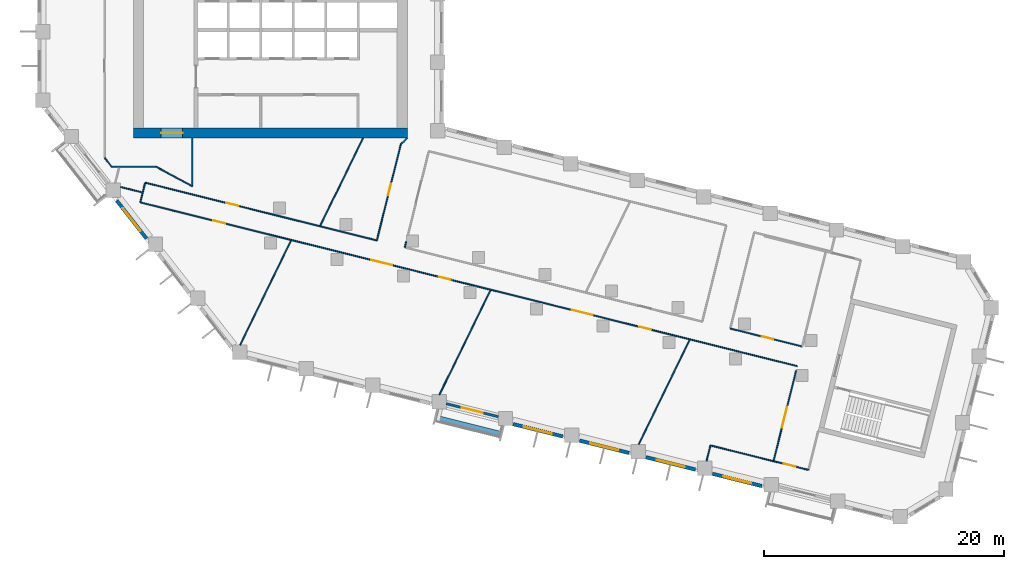
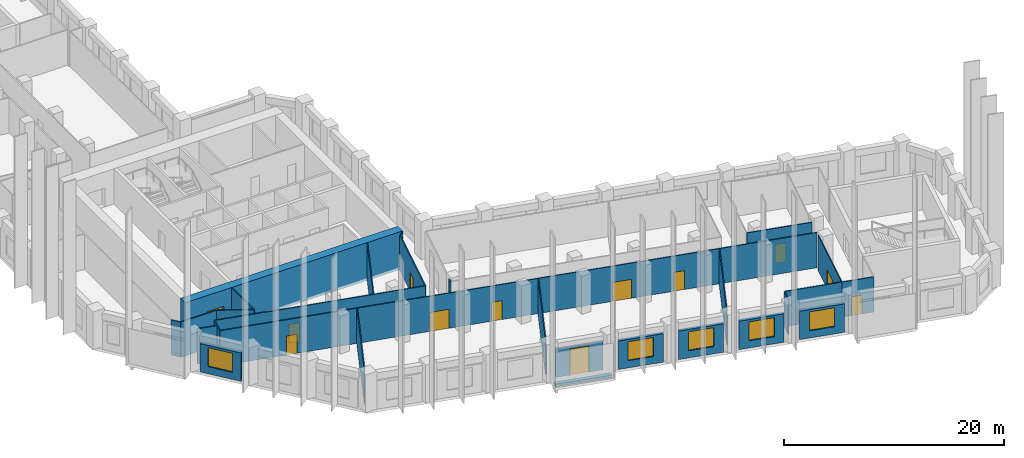
# One storey, part 3 of 10: 28 walls, 12 doors, 5 windows, 17 openings.
"""IFC4 building model written with IfcOpenShell, lengths in metres."""

from ifc_helpers import new_model, si_unit, direction, frame, frame_2d, origin, place, context, subcontext, project, spatial, rectangle, extrude, material, layer, layer_set, type_object, element, fill, save


model = new_model("IFC4")

# Units and contexts
model_context = context("Model", 3, precision=1e-05, world=origin(), true_north=direction((0.0, 1.0)))
body_context = subcontext(model_context, "Body", "Model", "MODEL_VIEW")
ifc_project = project(units=[si_unit("LENGTHUNIT", "METRE"), si_unit("AREAUNIT", "SQUARE_METRE"), si_unit("VOLUMEUNIT", "CUBIC_METRE"), si_unit("PLANEANGLEUNIT", "RADIAN"), si_unit("MASSUNIT", "GRAM", prefix="KILO")], contexts=[model_context])

# Site, building, storey
site_placement = place(None, origin())
site = spatial("IfcSite", under=ifc_project, at=site_placement, CompositionType="ELEMENT")
building_placement = place(site_placement, origin())
building = spatial("IfcBuilding", under=site, at=building_placement, Name="Meshkara Civic Tower", CompositionType="ELEMENT")
storey_placement = place(building_placement, frame((0.0, 0.0, 195.0)))
storey = spatial("IfcBuildingStorey", under=building, at=storey_placement, Name="L44", CompositionType="ELEMENT", Elevation=195.0)

# Wall, opening, door
ifc_material_1 = material(Name="Concrete C70", Category="concrete")
ifc_layer_1 = layer(ifc_material_1, 0.85009765625)
ifc_layer_set_1 = layer_set([ifc_layer_1], Name="Core ring wall 850 C70")
wall_type_1 = type_object("IfcWallType", Name="Core ring wall 850 C70", PredefinedType="SHEAR", material=ifc_layer_set_1)
wall_1_placement = place(storey_placement, frame((8.0, 14.52490234375, -0.300048828125), z_axis=(0.0, 0.0, 1.0), x_axis=(1.0, 0.0, 0.0)))
wall_1 = element("IfcWall", 1, at=wall_1_placement, inside=storey, type_object=wall_type_1, Name="L44-C001", PredefinedType="SHEAR", context=body_context, shape_type="SweptSolid", body=[
    extrude(rectangle(XDim=22.800048828125, YDim=0.85009765625, at=frame_2d((11.39990234375, 0.0))), origin(), (0.0, 0.0, 1.0), 4.199951171875),
])
opening_1_placement = place(wall_1_placement, frame((2.300048828125, 0.0, 0.300048828125)))
opening_1 = element("IfcOpeningElement", 2, at=opening_1_placement, cuts=wall_1, Name="Opening L44-K021", PredefinedType="OPENING", context=body_context, shape_type="SweptSolid", body=[
    extrude(rectangle(XDim=1.800048828125, YDim=2.10009765625, at=frame_2d((0.89990234375, 1.050048828125))), frame((0.0, 0.43505859375, 0.0), z_axis=(0.0, -1.0, 0.0), x_axis=(1.0, 0.0, 0.0)), (0.0, 0.0, 1.0), 0.8701171875),
])
ifc_material_2 = material(Name="Fire-rated door leaf in steel frame", Category="steel")
door_type_1 = type_object("IfcDoorType", Name="Core double door 1800 EI 60", OperationType="DOUBLE_DOOR_SINGLE_SWING", PredefinedType="DOOR", material=ifc_material_2)
door_1_placement = place(opening_1_placement, origin())
door_1 = element("IfcDoor", 3, at=door_1_placement, inside=storey, type_object=door_type_1, Name="L44-K021", OperationType="DOUBLE_DOOR_SINGLE_SWING", OverallHeight=2.10009765625, OverallWidth=1.800048828125, PredefinedType="DOOR", context=body_context, shape_type="SweptSolid", body=[
    extrude(rectangle(XDim=1.800048828125, YDim=2.10009765625, at=frame_2d((0.89990234375, 1.050048828125))), frame((0.0, 0.02490234375, 0.0), z_axis=(0.0, -1.0, 0.0), x_axis=(1.0, 0.0, 0.0)), (0.0, 0.0, 1.0), 0.050048828125),
])
fill(opening_1, door_1)

# Walls
ifc_material_3 = material(Name="Corridor wall 100")
ifc_layer_2 = layer(ifc_material_3, 0.10009765625)
ifc_layer_set_2 = layer_set([ifc_layer_2], Name="Corridor wall 100")
wall_type_2 = type_object("IfcWallType", Name="Corridor wall 100", PredefinedType="PARTITIONING", material=ifc_layer_set_2)
wall_2_placement = place(storey_placement, frame((5.60009765625, 12.450927734375, 0.0), z_axis=(0.0, 0.0, 1.0), x_axis=(0.615783213621, -0.787915626081, 0.0)))
element("IfcWall", 4, at=wall_2_placement, inside=storey, type_object=wall_type_2, Name="L44-W004", PredefinedType="PARTITIONING", context=body_context, shape_type="SweptSolid", body=[
    extrude(rectangle(XDim=0.953125, YDim=0.10009765625, at=frame_2d((0.4765625, 0.0))), origin(), (0.0, 0.0, 1.0), 3.89990234375),
])
wall_3_placement = place(storey_placement, frame((6.18701171875, 11.699951171875, 0.0), z_axis=(0.0, 0.0, 1.0), x_axis=(1.0, 0.0, 0.0)))
element("IfcWall", 5, at=wall_3_placement, inside=storey, type_object=wall_type_2, Name="L44-W006", PredefinedType="PARTITIONING", context=body_context, shape_type="SweptSolid", body=[
    extrude(rectangle(XDim=3.712890625, YDim=0.10009765625, at=frame_2d((1.8564453125, 0.0))), origin(), (0.0, 0.0, 1.0), 3.89990234375),
])

# Wall, openings, doors
wall_4_placement = place(storey_placement, frame((8.56494140625, 8.743896484375, 0.0), z_axis=(0.0, 0.0, 1.0), x_axis=(0.97029693432, -0.24191705035, 0.0)))
wall_4 = element("IfcWall", 6, at=wall_4_placement, inside=storey, type_object=wall_type_2, Name="L44-W009", PredefinedType="PARTITIONING", context=body_context, shape_type="SweptSolid", body=[
    extrude(rectangle(XDim=56.37451171875, YDim=0.10009765625, at=frame_2d((28.187255859375, 0.0))), origin(), (0.0, 0.0, 1.0), 3.89990234375),
])
opening_2_placement = place(wall_4_placement, frame((37.030029296875, 0.0, 0.0)))
opening_2 = element("IfcOpeningElement", 7, at=opening_2_placement, cuts=wall_4, Name="Opening L44-D003", PredefinedType="OPENING", context=body_context, shape_type="SweptSolid", body=[
    extrude(rectangle(XDim=1.800048828125, YDim=2.10009765625, at=frame_2d((0.89990234375, 1.050048828125))), frame((0.0, 0.06005859375, 0.0), z_axis=(0.0, -1.0, 0.0), x_axis=(1.0, 0.0, 0.0)), (0.0, 0.0, 1.0), 0.1201171875),
])
opening_3_placement = place(wall_4_placement, frame((42.830078125, 0.0, 0.0)))
opening_3 = element("IfcOpeningElement", 8, at=opening_3_placement, cuts=wall_4, Name="Opening L44-D004", PredefinedType="OPENING", context=body_context, shape_type="SweptSolid", body=[
    extrude(rectangle(XDim=1.0, YDim=2.10009765625, at=frame_2d((0.5, 1.050048828125))), frame((0.0, 0.06005859375, 0.0), z_axis=(0.0, -1.0, 0.0), x_axis=(1.0, 0.0, 0.0)), (0.0, 0.0, 1.0), 0.1201171875),
])
opening_4_placement = place(wall_4_placement, frame((19.8310546875, 0.0, 0.0)))
opening_4 = element("IfcOpeningElement", 9, at=opening_4_placement, cuts=wall_4, Name="Opening L44-D006", PredefinedType="OPENING", context=body_context, shape_type="SweptSolid", body=[
    extrude(rectangle(XDim=1.800048828125, YDim=2.10009765625, at=frame_2d((0.89990234375, 1.050048828125))), frame((0.0, 0.06005859375, 0.0), z_axis=(0.0, -1.0, 0.0), x_axis=(1.0, 0.0, 0.0)), (0.0, 0.0, 1.0), 0.1201171875),
])
opening_5_placement = place(wall_4_placement, frame((25.631103515625, 0.0, 0.0)))
opening_5 = element("IfcOpeningElement", 10, at=opening_5_placement, cuts=wall_4, Name="Opening L44-D007", PredefinedType="OPENING", context=body_context, shape_type="SweptSolid", body=[
    extrude(rectangle(XDim=1.0, YDim=2.10009765625, at=frame_2d((0.5, 1.050048828125))), frame((0.0, 0.06005859375, 0.0), z_axis=(0.0, -1.0, 0.0), x_axis=(1.0, 0.0, 0.0)), (0.0, 0.0, 1.0), 0.1201171875),
])
opening_6_placement = place(wall_4_placement, frame((6.280029296875, 0.0, 0.0)))
opening_6 = element("IfcOpeningElement", 11, at=opening_6_placement, cuts=wall_4, Name="Opening L44-D010", PredefinedType="OPENING", context=body_context, shape_type="SweptSolid", body=[
    extrude(rectangle(XDim=1.0, YDim=2.10009765625, at=frame_2d((0.5, 1.050048828125))), frame((0.0, 0.06005859375, 0.0), z_axis=(0.0, -1.0, 0.0), x_axis=(1.0, 0.0, 0.0)), (0.0, 0.0, 1.0), 0.1201171875),
])
ifc_material_4 = material(Name="Door 1000 x 2100")
door_type_2 = type_object("IfcDoorType", Name="Door 1000 x 2100", OperationType="SINGLE_SWING_LEFT", PredefinedType="DOOR", material=ifc_material_4)
door_2_placement = place(opening_3_placement, origin())
door_2 = element("IfcDoor", 12, at=door_2_placement, inside=storey, type_object=door_type_2, Name="L44-D004", OperationType="SINGLE_SWING_LEFT", OverallHeight=2.10009765625, OverallWidth=1.0, PredefinedType="DOOR", context=body_context, shape_type="SweptSolid", body=[
    extrude(rectangle(XDim=1.0, YDim=2.10009765625, at=frame_2d((0.5, 1.050048828125))), frame((0.0, 0.02490234375, 0.0), z_axis=(0.0, -1.0, 0.0), x_axis=(1.0, 0.0, 0.0)), (0.0, 0.0, 1.0), 0.050048828125),
])
fill(opening_3, door_2)
door_3_placement = place(opening_5_placement, origin())
door_3 = element("IfcDoor", 13, at=door_3_placement, inside=storey, type_object=door_type_2, Name="L44-D007", OperationType="SINGLE_SWING_LEFT", OverallHeight=2.10009765625, OverallWidth=1.0, PredefinedType="DOOR", context=body_context, shape_type="SweptSolid", body=[
    extrude(rectangle(XDim=1.0, YDim=2.10009765625, at=frame_2d((0.5, 1.050048828125))), frame((0.0, 0.02490234375, 0.0), z_axis=(0.0, -1.0, 0.0), x_axis=(1.0, 0.0, 0.0)), (0.0, 0.0, 1.0), 0.050048828125),
])
fill(opening_5, door_3)
door_4_placement = place(opening_6_placement, origin())
door_4 = element("IfcDoor", 14, at=door_4_placement, inside=storey, type_object=door_type_2, Name="L44-D010", OperationType="SINGLE_SWING_LEFT", OverallHeight=2.10009765625, OverallWidth=1.0, PredefinedType="DOOR", context=body_context, shape_type="SweptSolid", body=[
    extrude(rectangle(XDim=1.0, YDim=2.10009765625, at=frame_2d((0.5, 1.050048828125))), frame((0.0, 0.02490234375, 0.0), z_axis=(0.0, -1.0, 0.0), x_axis=(1.0, 0.0, 0.0)), (0.0, 0.0, 1.0), 0.050048828125),
])
fill(opening_6, door_4)
ifc_material_5 = material(Name="Door pair 1800 x 2100")
door_type_3 = type_object("IfcDoorType", Name="Door pair 1800 x 2100", OperationType="SINGLE_SWING_LEFT", PredefinedType="DOOR", material=ifc_material_5)
door_5_placement = place(opening_2_placement, origin())
door_5 = element("IfcDoor", 15, at=door_5_placement, inside=storey, type_object=door_type_3, Name="L44-D003", OperationType="DOUBLE_DOOR_SINGLE_SWING", OverallHeight=2.10009765625, OverallWidth=1.800048828125, PredefinedType="DOOR", context=body_context, shape_type="SweptSolid", body=[
    extrude(rectangle(XDim=1.800048828125, YDim=2.10009765625, at=frame_2d((0.89990234375, 1.050048828125))), frame((0.0, 0.02490234375, 0.0), z_axis=(0.0, -1.0, 0.0), x_axis=(1.0, 0.0, 0.0)), (0.0, 0.0, 1.0), 0.050048828125),
])
fill(opening_2, door_5)
door_6_placement = place(opening_4_placement, origin())
door_6 = element("IfcDoor", 16, at=door_6_placement, inside=storey, type_object=door_type_3, Name="L44-D006", OperationType="DOUBLE_DOOR_SINGLE_SWING", OverallHeight=2.10009765625, OverallWidth=1.800048828125, PredefinedType="DOOR", context=body_context, shape_type="SweptSolid", body=[
    extrude(rectangle(XDim=1.800048828125, YDim=2.10009765625, at=frame_2d((0.89990234375, 1.050048828125))), frame((0.0, 0.02490234375, 0.0), z_axis=(0.0, -1.0, 0.0), x_axis=(1.0, 0.0, 0.0)), (0.0, 0.0, 1.0), 0.050048828125),
])
fill(opening_4, door_6)

# Wall, opening, door
wall_5_placement = place(storey_placement, frame((8.972900390625, 10.382080078125, 0.0), z_axis=(0.0, 0.0, 1.0), x_axis=(0.970286808807, -0.241957658808, 0.0)))
wall_5 = element("IfcWall", 17, at=wall_5_placement, inside=storey, type_object=wall_type_2, Name="L44-W010", PredefinedType="PARTITIONING", context=body_context, shape_type="SweptSolid", body=[
    extrude(rectangle(XDim=19.879638671875, YDim=0.10009765625, at=frame_2d((9.93994140625, 0.0))), origin(), (0.0, 0.0, 1.0), 3.89990234375),
])
opening_7_placement = place(wall_5_placement, frame((6.97998046875, 0.0, 0.0)))
opening_7 = element("IfcOpeningElement", 18, at=opening_7_placement, cuts=wall_5, Name="Opening L44-D011", PredefinedType="OPENING", context=body_context, shape_type="SweptSolid", body=[
    extrude(rectangle(XDim=1.0, YDim=2.10009765625, at=frame_2d((0.5, 1.050048828125))), frame((0.0, 0.06005859375, 0.0), z_axis=(0.0, -1.0, 0.0), x_axis=(1.0, 0.0, 0.0)), (0.0, 0.0, 1.0), 0.1201171875),
])
door_7_placement = place(opening_7_placement, origin())
door_7 = element("IfcDoor", 19, at=door_7_placement, inside=storey, type_object=door_type_2, Name="L44-D011", OperationType="SINGLE_SWING_LEFT", OverallHeight=2.10009765625, OverallWidth=1.0, PredefinedType="DOOR", context=body_context, shape_type="SweptSolid", body=[
    extrude(rectangle(XDim=1.0, YDim=2.10009765625, at=frame_2d((0.5, 1.050048828125))), frame((0.0, 0.02490234375, 0.0), z_axis=(0.0, -1.0, 0.0), x_axis=(1.0, 0.0, 0.0)), (0.0, 0.0, 1.0), 0.050048828125),
])
fill(opening_7, door_7)

# Walls
wall_6_placement = place(storey_placement, frame((8.972900390625, 10.382080078125, 0.0), z_axis=(0.0, 0.0, 1.0), x_axis=(-0.241650823739, -0.970363271866, 0.0)))
element("IfcWall", 20, at=wall_6_placement, inside=storey, type_object=wall_type_2, Name="L44-W011", PredefinedType="PARTITIONING", context=body_context, shape_type="SweptSolid", body=[
    extrude(rectangle(XDim=1.688232421875, YDim=0.10009765625, at=frame_2d((0.84423828125, 0.0))), origin(), (0.0, 0.0, 1.0), 3.89990234375),
])
wall_7_placement = place(storey_placement, frame((9.89990234375, 11.699951171875, 0.0), z_axis=(0.0, 0.0, 1.0), x_axis=(0.87965147249, -0.475618846291, 0.0)))
element("IfcWall", 21, at=wall_7_placement, inside=storey, type_object=wall_type_2, Name="L44-W012", PredefinedType="PARTITIONING", context=body_context, shape_type="SweptSolid", body=[
    extrude(rectangle(XDim=3.410400390625, YDim=0.10009765625, at=frame_2d((1.705078125, 0.0))), origin(), (0.0, 0.0, 1.0), 3.89990234375),
])
wall_8_placement = place(storey_placement, frame((12.89990234375, 10.077880859375, 0.0), z_axis=(0.0, 0.0, 1.0), x_axis=(0.0, 1.0, 0.0)))
element("IfcWall", 22, at=wall_8_placement, inside=storey, type_object=wall_type_2, Name="L44-W016", PredefinedType="PARTITIONING", context=body_context, shape_type="SweptSolid", body=[
    extrude(rectangle(XDim=4.022216796875, YDim=0.10009765625, at=frame_2d((2.01123046875, 0.0))), origin(), (0.0, 0.0, 1.0), 3.89990234375),
])

# Wall, opening, door
wall_9_placement = place(storey_placement, frame((30.259033203125, 13.5830078125, 0.0), z_axis=(0.0, 0.0, 1.0), x_axis=(-0.241888494143, -0.970304053584, 0.0)))
wall_9 = element("IfcWall", 23, at=wall_9_placement, inside=storey, type_object=wall_type_2, Name="L44-W023", PredefinedType="PARTITIONING", context=body_context, shape_type="SweptSolid", body=[
    extrude(rectangle(XDim=8.256103515625, YDim=0.10009765625, at=frame_2d((4.1279296875, 0.0))), origin(), (0.0, 0.0, 1.0), 3.89990234375),
])
opening_8_placement = place(wall_9_placement, frame((3.3798828125, 0.0, 0.0)))
opening_8 = element("IfcOpeningElement", 24, at=opening_8_placement, cuts=wall_9, Name="Opening L44-D012", PredefinedType="OPENING", context=body_context, shape_type="SweptSolid", body=[
    extrude(rectangle(XDim=1.0, YDim=2.10009765625, at=frame_2d((0.5, 1.050048828125))), frame((0.0, 0.06005859375, 0.0), z_axis=(0.0, -1.0, 0.0), x_axis=(1.0, 0.0, 0.0)), (0.0, 0.0, 1.0), 0.1201171875),
])
door_8_placement = place(opening_8_placement, origin())
door_8 = element("IfcDoor", 25, at=door_8_placement, inside=storey, type_object=door_type_2, Name="L44-D012", OperationType="SINGLE_SWING_RIGHT", OverallHeight=2.10009765625, OverallWidth=1.0, PredefinedType="DOOR", context=body_context, shape_type="SweptSolid", body=[
    extrude(rectangle(XDim=1.0, YDim=2.10009765625, at=frame_2d((0.5, 1.050048828125))), frame((0.0, 0.02490234375, 0.0), z_axis=(0.0, -1.0, 0.0), x_axis=(1.0, 0.0, 0.0)), (0.0, 0.0, 1.0), 0.050048828125),
])
fill(opening_8, door_8)

# Walls
wall_10_placement = place(storey_placement, frame((30.590087890625, 4.991943359375, 0.0), z_axis=(0.0, 0.0, 1.0), x_axis=(0.241731207299, 0.970343250308, 0.0)))
element("IfcWall", 26, at=wall_10_placement, inside=storey, type_object=wall_type_2, Name="L44-W025", PredefinedType="PARTITIONING", context=body_context, shape_type="SweptSolid", body=[
    extrude(rectangle(XDim=0.5, YDim=0.10009765625, at=frame_2d((0.25, 0.0))), origin(), (0.0, 0.0, 1.0), 3.89990234375),
])
wall_11_placement = place(storey_placement, frame((30.800048828125, 14.10009765625, 0.0), z_axis=(0.0, 0.0, 1.0), x_axis=(-0.722911025189, -0.690941133281, 0.0)))
element("IfcWall", 27, at=wall_11_placement, inside=storey, type_object=wall_type_2, Name="L44-W026", PredefinedType="PARTITIONING", context=body_context, shape_type="SweptSolid", body=[
    extrude(rectangle(XDim=0.748291015625, YDim=0.10009765625, at=frame_2d((0.3740234375, 0.0))), origin(), (0.0, 0.0, 1.0), 3.89990234375),
])

# Wall, opening, door
wall_12_placement = place(storey_placement, frame((61.2919921875, -12.80810546875, 0.0), z_axis=(0.0, 0.0, 1.0), x_axis=(0.970290716908, -0.241941986192, 0.0)))
wall_12 = element("IfcWall", 28, at=wall_12_placement, inside=storey, type_object=wall_type_2, Name="L44-W032", PredefinedType="PARTITIONING", context=body_context, shape_type="SweptSolid", body=[
    extrude(rectangle(XDim=3.0, YDim=0.10009765625, at=frame_2d((1.5, 0.0))), origin(), (0.0, 0.0, 1.0), 3.89990234375),
])
opening_9_placement = place(wall_12_placement, frame((0.8798828125, 0.0, 0.0)))
opening_9 = element("IfcOpeningElement", 29, at=opening_9_placement, cuts=wall_12, Name="Opening L44-D001", PredefinedType="OPENING", context=body_context, shape_type="SweptSolid", body=[
    extrude(rectangle(XDim=1.0, YDim=2.10009765625, at=frame_2d((0.5, 1.050048828125))), frame((0.0, 0.06005859375, 0.0), z_axis=(0.0, -1.0, 0.0), x_axis=(1.0, 0.0, 0.0)), (0.0, 0.0, 1.0), 0.1201171875),
])
door_9_placement = place(opening_9_placement, origin())
door_9 = element("IfcDoor", 30, at=door_9_placement, inside=storey, type_object=door_type_2, Name="L44-D001", OperationType="SINGLE_SWING_RIGHT", OverallHeight=2.10009765625, OverallWidth=1.0, PredefinedType="DOOR", context=body_context, shape_type="SweptSolid", body=[
    extrude(rectangle(XDim=1.0, YDim=2.10009765625, at=frame_2d((0.5, 1.050048828125))), frame((0.0, 0.02490234375, 0.0), z_axis=(0.0, -1.0, 0.0), x_axis=(1.0, 0.0, 0.0)), (0.0, 0.0, 1.0), 0.050048828125),
])
fill(opening_9, door_9)

wall_13_placement = place(storey_placement, frame((63.1689453125, -5.279052734375, 0.0), z_axis=(0.0, 0.0, 1.0), x_axis=(-0.241891494948, -0.970303305504, 0.0)))
wall_13 = element("IfcWall", 31, at=wall_13_placement, inside=storey, type_object=wall_type_2, Name="L44-W033", PredefinedType="PARTITIONING", context=body_context, shape_type="SweptSolid", body=[
    extrude(rectangle(XDim=7.759521484375, YDim=0.10009765625, at=frame_2d((3.8798828125, 0.0))), origin(), (0.0, 0.0, 1.0), 3.89990234375),
])
opening_10_placement = place(wall_13_placement, frame((3.080078125, 0.0, 0.0)))
opening_10 = element("IfcOpeningElement", 32, at=opening_10_placement, cuts=wall_13, Name="Opening L44-D002", PredefinedType="OPENING", context=body_context, shape_type="SweptSolid", body=[
    extrude(rectangle(XDim=1.800048828125, YDim=2.10009765625, at=frame_2d((0.89990234375, 1.050048828125))), frame((0.0, 0.06005859375, 0.0), z_axis=(0.0, -1.0, 0.0), x_axis=(1.0, 0.0, 0.0)), (0.0, 0.0, 1.0), 0.1201171875),
])
door_10_placement = place(opening_10_placement, origin())
door_10 = element("IfcDoor", 33, at=door_10_placement, inside=storey, type_object=door_type_3, Name="L44-D002", OperationType="DOUBLE_DOOR_SINGLE_SWING", OverallHeight=2.10009765625, OverallWidth=1.800048828125, PredefinedType="DOOR", context=body_context, shape_type="SweptSolid", body=[
    extrude(rectangle(XDim=1.800048828125, YDim=2.10009765625, at=frame_2d((0.89990234375, 1.050048828125))), frame((0.0, 0.02490234375, 0.0), z_axis=(0.0, -1.0, 0.0), x_axis=(1.0, 0.0, 0.0)), (0.0, 0.0, 1.0), 0.050048828125),
])
fill(opening_10, door_10)

wall_14_placement = place(storey_placement, frame((63.674072265625, -3.257080078125, 0.0), z_axis=(0.0, 0.0, 1.0), x_axis=(-0.970279662322, 0.24198631549, 0.0)))
wall_14 = element("IfcWall", 34, at=wall_14_placement, inside=storey, type_object=wall_type_2, Name="L44-W034", PredefinedType="PARTITIONING", context=body_context, shape_type="SweptSolid", body=[
    extrude(rectangle(XDim=6.17041015625, YDim=0.10009765625, at=frame_2d((3.085205078125, 0.0))), origin(), (0.0, 0.0, 1.0), 3.89990234375),
])
opening_11_placement = place(wall_14_placement, frame((2.47998046875, 0.0, 0.0)))
opening_11 = element("IfcOpeningElement", 35, at=opening_11_placement, cuts=wall_14, Name="Opening L44-D005", PredefinedType="OPENING", context=body_context, shape_type="SweptSolid", body=[
    extrude(rectangle(XDim=1.0, YDim=2.10009765625, at=frame_2d((0.5, 1.050048828125))), frame((0.0, 0.06005859375, 0.0), z_axis=(0.0, -1.0, 0.0), x_axis=(1.0, 0.0, 0.0)), (0.0, 0.0, 1.0), 0.1201171875),
])
door_11_placement = place(opening_11_placement, origin())
door_11 = element("IfcDoor", 36, at=door_11_placement, inside=storey, type_object=door_type_2, Name="L44-D005", OperationType="SINGLE_SWING_RIGHT", OverallHeight=2.10009765625, OverallWidth=1.0, PredefinedType="DOOR", context=body_context, shape_type="SweptSolid", body=[
    extrude(rectangle(XDim=1.0, YDim=2.10009765625, at=frame_2d((0.5, 1.050048828125))), frame((0.0, 0.02490234375, 0.0), z_axis=(0.0, -1.0, 0.0), x_axis=(1.0, 0.0, 0.0)), (0.0, 0.0, 1.0), 0.050048828125),
])
fill(opening_11, door_11)

# Wall, opening, window
ifc_material_6 = material(Name="Insulated infill panel with bronze anodised aluminium cladding", Category="aluminium")
ifc_layer_3 = layer(ifc_material_6, 0.300048828125)
ifc_layer_set_3 = layer_set([ifc_layer_3], Name="EXTERNAL INFILL WALL 300")
wall_type_3 = type_object("IfcWallType", Name="EXTERNAL INFILL WALL 300", PredefinedType="SOLIDWALL", material=ifc_layer_set_3)
wall_15_placement = place(storey_placement, frame((6.60498046875, 8.888916015625, 0.0), z_axis=(0.0, 0.0, 1.0), x_axis=(0.615706559089, -0.787975528233, 0.0)))
wall_15 = element("IfcWall", 37, at=wall_15_placement, inside=storey, type_object=wall_type_3, Name="External wall", PredefinedType="SOLIDWALL", context=body_context, shape_type="SweptSolid", body=[
    extrude(rectangle(XDim=4.016357421875, YDim=0.300048828125, at=frame_2d((2.00830078125, 0.0))), origin(), (0.0, 0.0, 1.0), 3.14990234375),
])
opening_12_placement = place(wall_15_placement, frame((0.80810546875, 0.0, 0.800048828125)))
opening_12 = element("IfcOpeningElement", 38, at=opening_12_placement, cuts=wall_15, Name="Opening W7", PredefinedType="OPENING", context=body_context, shape_type="SweptSolid", body=[
    extrude(rectangle(XDim=2.39990234375, YDim=2.10009765625, at=frame_2d((1.199951171875, 1.050048828125))), frame((0.0, 0.159912109375, 0.0), z_axis=(0.0, -1.0, 0.0), x_axis=(1.0, 0.0, 0.0)), (0.0, 0.0, 1.0), 0.320068359375),
])
ifc_material_7 = material(Name="Tinted double glazing", Category="glass")
window_type = type_object("IfcWindowType", Name="WINDOW 2400x2100", PartitioningType="DOUBLE_PANEL_VERTICAL", PredefinedType="WINDOW", material=ifc_material_7)
window_1_placement = place(opening_12_placement, origin())
window_1 = element("IfcWindow", 39, at=window_1_placement, inside=storey, type_object=window_type, Name="Window", OverallHeight=2.10009765625, OverallWidth=2.39990234375, PartitioningType="DOUBLE_PANEL_VERTICAL", PredefinedType="WINDOW", context=body_context, shape_type="SweptSolid", body=[
    extrude(rectangle(XDim=2.39990234375, YDim=2.10009765625, at=frame_2d((1.199951171875, 1.050048828125))), frame((0.0, 0.030029296875, 0.0), z_axis=(0.0, -1.0, 0.0), x_axis=(1.0, 0.0, 0.0)), (0.0, 0.0, 1.0), 0.06005859375),
])
fill(opening_12, window_1)

wall_16_placement = place(storey_placement, frame((39.60693359375, -9.719970703125, 0.0), z_axis=(0.0, 0.0, 1.0), x_axis=(0.970250625545, -0.242102712975, 0.0)))
wall_16 = element("IfcWall", 40, at=wall_16_placement, inside=storey, type_object=wall_type_3, Name="External wall", PredefinedType="SOLIDWALL", context=body_context, shape_type="SweptSolid", body=[
    extrude(rectangle(XDim=4.246337890625, YDim=0.300048828125, at=frame_2d((2.123046875, 0.0))), origin(), (0.0, 0.0, 1.0), 3.14990234375),
])
opening_13_placement = place(wall_16_placement, frame((0.923095703125, 0.0, 0.800048828125)))
opening_13 = element("IfcOpeningElement", 41, at=opening_13_placement, cuts=wall_16, Name="Opening W7", PredefinedType="OPENING", context=body_context, shape_type="SweptSolid", body=[
    extrude(rectangle(XDim=2.39990234375, YDim=2.10009765625, at=frame_2d((1.199951171875, 1.050048828125))), frame((0.0, 0.159912109375, 0.0), z_axis=(0.0, -1.0, 0.0), x_axis=(1.0, 0.0, 0.0)), (0.0, 0.0, 1.0), 0.320068359375),
])
window_2_placement = place(opening_13_placement, origin())
window_2 = element("IfcWindow", 42, at=window_2_placement, inside=storey, type_object=window_type, Name="Window", OverallHeight=2.10009765625, OverallWidth=2.39990234375, PartitioningType="DOUBLE_PANEL_VERTICAL", PredefinedType="WINDOW", context=body_context, shape_type="SweptSolid", body=[
    extrude(rectangle(XDim=2.39990234375, YDim=2.10009765625, at=frame_2d((1.199951171875, 1.050048828125))), frame((0.0, 0.030029296875, 0.0), z_axis=(0.0, -1.0, 0.0), x_axis=(1.0, 0.0, 0.0)), (0.0, 0.0, 1.0), 0.06005859375),
])
fill(opening_13, window_2)

wall_17_placement = place(storey_placement, frame((45.137939453125, -11.09912109375, 0.0), z_axis=(0.0, 0.0, 1.0), x_axis=(0.970304663212, -0.241886048688, 0.0)))
wall_17 = element("IfcWall", 43, at=wall_17_placement, inside=storey, type_object=wall_type_3, Name="External wall", PredefinedType="SOLIDWALL", context=body_context, shape_type="SweptSolid", body=[
    extrude(rectangle(XDim=4.2451171875, YDim=0.300048828125, at=frame_2d((2.12255859375, 0.0))), origin(), (0.0, 0.0, 1.0), 3.14990234375),
])
opening_14_placement = place(wall_17_placement, frame((0.922119140625, 0.0, 0.800048828125)))
opening_14 = element("IfcOpeningElement", 44, at=opening_14_placement, cuts=wall_17, Name="Opening W7", PredefinedType="OPENING", context=body_context, shape_type="SweptSolid", body=[
    extrude(rectangle(XDim=2.39990234375, YDim=2.10009765625, at=frame_2d((1.199951171875, 1.050048828125))), frame((0.0, 0.159912109375, 0.0), z_axis=(0.0, -1.0, 0.0), x_axis=(1.0, 0.0, 0.0)), (0.0, 0.0, 1.0), 0.320068359375),
])
window_3_placement = place(opening_14_placement, origin())
window_3 = element("IfcWindow", 45, at=window_3_placement, inside=storey, type_object=window_type, Name="Window", OverallHeight=2.10009765625, OverallWidth=2.39990234375, PartitioningType="DOUBLE_PANEL_VERTICAL", PredefinedType="WINDOW", context=body_context, shape_type="SweptSolid", body=[
    extrude(rectangle(XDim=2.39990234375, YDim=2.10009765625, at=frame_2d((1.199951171875, 1.050048828125))), frame((0.0, 0.030029296875, 0.0), z_axis=(0.0, -1.0, 0.0), x_axis=(1.0, 0.0, 0.0)), (0.0, 0.0, 1.0), 0.06005859375),
])
fill(opening_14, window_3)

wall_18_placement = place(storey_placement, frame((50.66796875, -12.47802734375, 0.0), z_axis=(0.0, 0.0, 1.0), x_axis=(0.970318118028, -0.241832069473, 0.0)))
wall_18 = element("IfcWall", 46, at=wall_18_placement, inside=storey, type_object=wall_type_3, Name="External wall", PredefinedType="SOLIDWALL", context=body_context, shape_type="SweptSolid", body=[
    extrude(rectangle(XDim=4.24609375, YDim=0.300048828125, at=frame_2d((2.123046875, 0.0))), origin(), (0.0, 0.0, 1.0), 3.14990234375),
])
opening_15_placement = place(wall_18_placement, frame((0.923095703125, 0.0, 0.800048828125)))
opening_15 = element("IfcOpeningElement", 47, at=opening_15_placement, cuts=wall_18, Name="Opening W7", PredefinedType="OPENING", context=body_context, shape_type="SweptSolid", body=[
    extrude(rectangle(XDim=2.39990234375, YDim=2.10009765625, at=frame_2d((1.199951171875, 1.050048828125))), frame((0.0, 0.159912109375, 0.0), z_axis=(0.0, -1.0, 0.0), x_axis=(1.0, 0.0, 0.0)), (0.0, 0.0, 1.0), 0.320068359375),
])
window_4_placement = place(opening_15_placement, origin())
window_4 = element("IfcWindow", 48, at=window_4_placement, inside=storey, type_object=window_type, Name="Window", OverallHeight=2.10009765625, OverallWidth=2.39990234375, PartitioningType="DOUBLE_PANEL_VERTICAL", PredefinedType="WINDOW", context=body_context, shape_type="SweptSolid", body=[
    extrude(rectangle(XDim=2.39990234375, YDim=2.10009765625, at=frame_2d((1.199951171875, 1.050048828125))), frame((0.0, 0.030029296875, 0.0), z_axis=(0.0, -1.0, 0.0), x_axis=(1.0, 0.0, 0.0)), (0.0, 0.0, 1.0), 0.06005859375),
])
fill(opening_15, window_4)

wall_19_placement = place(storey_placement, frame((56.198974609375, -13.85693359375, 0.0), z_axis=(0.0, 0.0, 1.0), x_axis=(0.97030462482, -0.241886202691, 0.0)))
wall_19 = element("IfcWall", 49, at=wall_19_placement, inside=storey, type_object=wall_type_3, Name="External wall", PredefinedType="SOLIDWALL", context=body_context, shape_type="SweptSolid", body=[
    extrude(rectangle(XDim=4.24609375, YDim=0.300048828125, at=frame_2d((2.123046875, 0.0))), origin(), (0.0, 0.0, 1.0), 3.14990234375),
])
opening_16_placement = place(wall_19_placement, frame((0.923095703125, 0.0, 0.800048828125)))
opening_16 = element("IfcOpeningElement", 50, at=opening_16_placement, cuts=wall_19, Name="Opening W7", PredefinedType="OPENING", context=body_context, shape_type="SweptSolid", body=[
    extrude(rectangle(XDim=2.39990234375, YDim=2.10009765625, at=frame_2d((1.199951171875, 1.050048828125))), frame((0.0, 0.159912109375, 0.0), z_axis=(0.0, -1.0, 0.0), x_axis=(1.0, 0.0, 0.0)), (0.0, 0.0, 1.0), 0.320068359375),
])
window_5_placement = place(opening_16_placement, origin())
window_5 = element("IfcWindow", 51, at=window_5_placement, inside=storey, type_object=window_type, Name="Window", OverallHeight=2.10009765625, OverallWidth=2.39990234375, PartitioningType="DOUBLE_PANEL_VERTICAL", PredefinedType="WINDOW", context=body_context, shape_type="SweptSolid", body=[
    extrude(rectangle(XDim=2.39990234375, YDim=2.10009765625, at=frame_2d((1.199951171875, 1.050048828125))), frame((0.0, 0.030029296875, 0.0), z_axis=(0.0, -1.0, 0.0), x_axis=(1.0, 0.0, 0.0)), (0.0, 0.0, 1.0), 0.06005859375),
])
fill(opening_16, window_5)

# Wall, opening, door
ifc_material_8 = material(Name="Insulated infill panel with bronze anodised aluminium cladding", Category="aluminium")
ifc_layer_4 = layer(ifc_material_8, 0.199951171875)
ifc_layer_set_4 = layer_set([ifc_layer_4], Name="LOGGIA BACK WALL 200")
wall_type_4 = type_object("IfcWallType", Name="LOGGIA BACK WALL 200", PredefinedType="SOLIDWALL", material=ifc_layer_set_4)
wall_20_placement = place(storey_placement, frame((34.04296875, -8.02392578125, 0.0), z_axis=(0.0, 0.0, 1.0), x_axis=(0.970283897632, -0.241969332758, 0.0)))
wall_20 = element("IfcWall", 52, at=wall_20_placement, inside=storey, type_object=wall_type_4, Name="Loggia wall", PredefinedType="SOLIDWALL", context=body_context, shape_type="SweptSolid", body=[
    extrude(rectangle(XDim=4.463623046875, YDim=0.199951171875, at=frame_2d((2.23193359375, 0.0))), origin(), (0.0, 0.0, 1.0), 3.14990234375),
])
opening_17_placement = place(wall_20_placement, frame((1.3310546875, 0.0, 0.0)))
opening_17 = element("IfcOpeningElement", 53, at=opening_17_placement, cuts=wall_20, Name="Opening L44-L003", PredefinedType="OPENING", context=body_context, shape_type="SweptSolid", body=[
    extrude(rectangle(XDim=1.800048828125, YDim=2.89990234375, at=frame_2d((0.89990234375, 1.449951171875))), frame((0.0, 0.10986328125, 0.0), z_axis=(0.0, -1.0, 0.0), x_axis=(1.0, 0.0, 0.0)), (0.0, 0.0, 1.0), 0.219970703125),
])
ifc_material_9 = material(Name="Tinted double glazing", Category="glass")
door_type_4 = type_object("IfcDoorType", Name="LOGGIA DOOR 1800x2900", OperationType="DOUBLE_DOOR_SINGLE_SWING", PredefinedType="DOOR", material=ifc_material_9)
door_12_placement = place(opening_17_placement, origin())
door_12 = element("IfcDoor", 54, at=door_12_placement, inside=storey, type_object=door_type_4, Name="L44-L003", OperationType="DOUBLE_DOOR_SINGLE_SWING", OverallHeight=2.89990234375, OverallWidth=1.800048828125, PredefinedType="DOOR", context=body_context, shape_type="SweptSolid", body=[
    extrude(rectangle(XDim=1.800048828125, YDim=2.89990234375, at=frame_2d((0.89990234375, 1.449951171875))), frame((0.0, 0.02490234375, 0.0), z_axis=(0.0, -1.0, 0.0), x_axis=(1.0, 0.0, 0.0)), (0.0, 0.0, 1.0), 0.050048828125),
])
fill(opening_17, door_12)

# Walls
ifc_material_10 = material(Name="Concrete C40", Category="concrete")
ifc_layer_5 = layer(ifc_material_10, 0.39990234375)
ifc_layer_set_5 = layer_set([ifc_layer_5], Name="PLANTER TRAY")
wall_type_5 = type_object("IfcWallType", Name="PLANTER TRAY", PredefinedType="SOLIDWALL", material=ifc_layer_set_5)
wall_21_placement = place(storey_placement, frame((33.285888671875, -9.2060546875, 0.0), z_axis=(0.0, 0.0, 1.0), x_axis=(0.970292345375, -0.241935455249, 0.0)))
element("IfcWall", 55, at=wall_21_placement, inside=storey, type_object=wall_type_5, Name="Planter", PredefinedType="SOLIDWALL", context=body_context, shape_type="SweptSolid", body=[
    extrude(rectangle(XDim=5.3603515625, YDim=0.39990234375, at=frame_2d((2.68017578125, 0.0))), origin(), (0.0, 0.0, 1.0), 0.300048828125),
])
ifc_material_11 = material(Name="Partition 100")
ifc_layer_6 = layer(ifc_material_11, 0.10009765625)
ifc_layer_set_6 = layer_set([ifc_layer_6], Name="Partition 100")
wall_type_6 = type_object("IfcWallType", Name="Partition 100", PredefinedType="PARTITIONING", material=ifc_layer_set_6)
wall_22_placement = place(storey_placement, frame((8.719970703125, 9.573974609375, 0.0), z_axis=(0.0, 0.0, 1.0), x_axis=(-0.97017350799, 0.242411559945, 0.0)))
element("IfcWall", 56, at=wall_22_placement, inside=storey, type_object=wall_type_6, Name="L44-W048", PredefinedType="PARTITIONING", context=body_context, shape_type="SweptSolid", body=[
    extrude(rectangle(XDim=1.85205078125, YDim=0.10009765625, at=frame_2d((0.926025390625, 0.0))), origin(), (0.0, 0.0, 1.0), 3.89990234375),
])
wall_23_placement = place(storey_placement, frame((16.876953125, -3.137939453125, 0.0), z_axis=(0.0, 0.0, 1.0), x_axis=(0.438466907108, 0.898747334556, 0.0)))
element("IfcWall", 57, at=wall_23_placement, inside=storey, type_object=wall_type_6, Name="L44-W051", PredefinedType="PARTITIONING", context=body_context, shape_type="SweptSolid", body=[
    extrude(rectangle(XDim=9.669921875, YDim=0.10009765625, at=frame_2d((4.8349609375, 0.0))), origin(), (0.0, 0.0, 1.0), 3.89990234375),
])
wall_24_placement = place(storey_placement, frame((23.554931640625, 6.80810546875, 0.0), z_axis=(0.0, 0.0, 1.0), x_axis=(0.438332324522, 0.898812980146, 0.0)))
element("IfcWall", 58, at=wall_24_placement, inside=storey, type_object=wall_type_6, Name="L44-W053", PredefinedType="PARTITIONING", context=body_context, shape_type="SweptSolid", body=[
    extrude(rectangle(XDim=8.11279296875, YDim=0.10009765625, at=frame_2d((4.056396484375, 0.0))), origin(), (0.0, 0.0, 1.0), 3.89990234375),
])
wall_25_placement = place(storey_placement, frame((33.469970703125, -7.27490234375, 0.0), z_axis=(0.0, 0.0, 1.0), x_axis=(0.438303739134, 0.898826920081, 0.0)))
element("IfcWall", 59, at=wall_25_placement, inside=storey, type_object=wall_type_6, Name="L44-W054", PredefinedType="PARTITIONING", context=body_context, shape_type="SweptSolid", body=[
    extrude(rectangle(XDim=9.669189453125, YDim=0.10009765625, at=frame_2d((4.83447265625, 0.0))), origin(), (0.0, 0.0, 1.0), 3.89990234375),
])
wall_26_placement = place(storey_placement, frame((50.06201171875, -11.410888671875, 0.0), z_axis=(0.0, 0.0, 1.0), x_axis=(0.438425124484, 0.898767717612, 0.0)))
element("IfcWall", 60, at=wall_26_placement, inside=storey, type_object=wall_type_6, Name="L44-W056", PredefinedType="PARTITIONING", context=body_context, shape_type="SweptSolid", body=[
    extrude(rectangle(XDim=9.668701171875, YDim=0.10009765625, at=frame_2d((4.83447265625, 0.0))), origin(), (0.0, 0.0, 1.0), 3.89990234375),
])
wall_27_placement = place(storey_placement, frame((55.716064453125, -12.7900390625, 0.0), z_axis=(0.0, 0.0, 1.0), x_axis=(0.241845285879, 0.970314824012, 0.0)))
element("IfcWall", 61, at=wall_27_placement, inside=storey, type_object=wall_type_6, Name="L44-W057", PredefinedType="PARTITIONING", context=body_context, shape_type="SweptSolid", body=[
    extrude(rectangle(XDim=1.33154296875, YDim=0.10009765625, at=frame_2d((0.665771484375, 0.0))), origin(), (0.0, 0.0, 1.0), 3.89990234375),
])
wall_28_placement = place(storey_placement, frame((56.0380859375, -11.498046875, 0.0), z_axis=(0.0, 0.0, 1.0), x_axis=(0.970290732875, -0.241941922155, 0.0)))
element("IfcWall", 62, at=wall_28_placement, inside=storey, type_object=wall_type_6, Name="L44-W058", PredefinedType="PARTITIONING", context=body_context, shape_type="SweptSolid", body=[
    extrude(rectangle(XDim=5.418701171875, YDim=0.10009765625, at=frame_2d((2.70947265625, 0.0))), origin(), (0.0, 0.0, 1.0), 3.89990234375),
])

save(model, "model.ifc")
